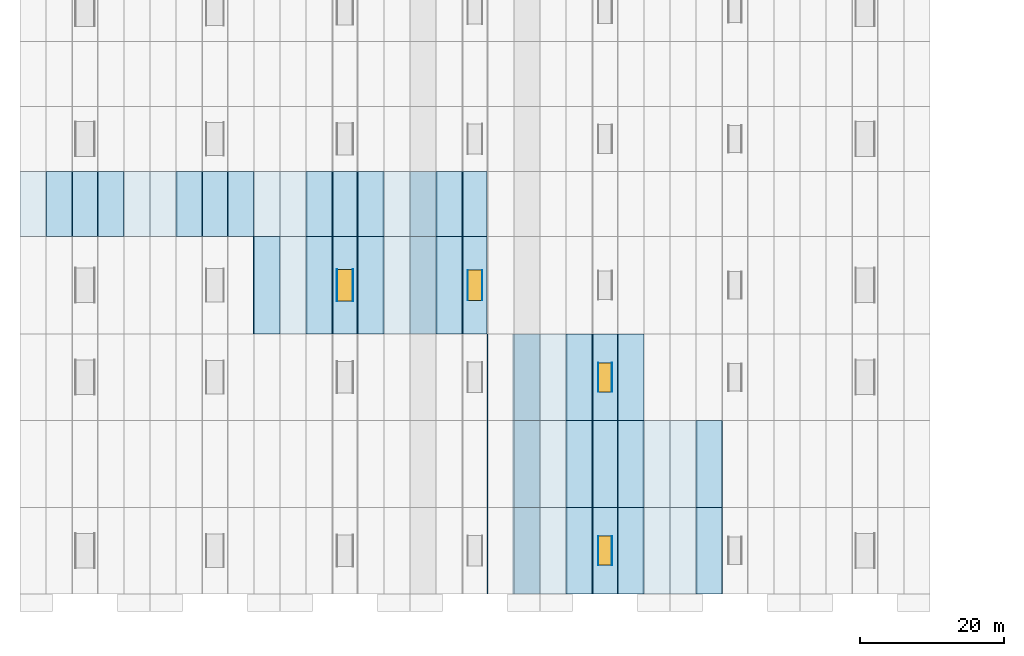
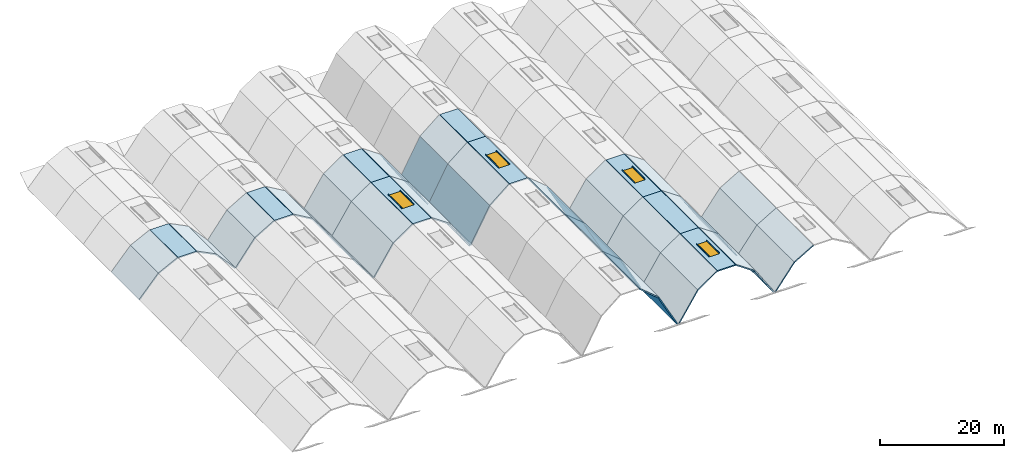
# One storey, part 3 of 11: 51 slabs, 8 plates, 4 windows, 4 openings.
"""IFC4 building model written with IfcOpenShell, lengths in metres."""

from ifc_helpers import new_model, si_unit, direction, frame, origin, origin_2d, place, context, subcontext, project, spatial, polyline, rectangle, outline, extrude, material, layer, layer_set, type_object, element, fill, save


model = new_model("IFC4")

# Units and contexts
model_context = context("Model", 3, precision=1e-05, world=origin(), true_north=direction((0.0, 1.0)))
body_context = subcontext(model_context, "Body", "Model", "MODEL_VIEW")
ifc_project = project(units=[si_unit("LENGTHUNIT", "METRE"), si_unit("AREAUNIT", "SQUARE_METRE"), si_unit("VOLUMEUNIT", "CUBIC_METRE"), si_unit("PLANEANGLEUNIT", "RADIAN"), si_unit("MASSUNIT", "GRAM", prefix="KILO")], contexts=[model_context])

# Site, building, storey
site_placement = place(None, origin())
site = spatial("IfcSite", under=ifc_project, at=site_placement, CompositionType="ELEMENT")
building_placement = place(site_placement, origin())
building = spatial("IfcBuilding", under=site, at=building_placement, Name="Chuanluo Vaults Station", CompositionType="ELEMENT")
storey_placement = place(building_placement, frame((0.0, 0.0, 24.0)))
storey = spatial("IfcBuildingStorey", under=building, at=storey_placement, Name="RF", CompositionType="ELEMENT", Elevation=24.0)

# Plates
ifc_material_1 = material(Name="Laminated safety skylight glass", Category="glass")
ifc_layer_1 = layer(ifc_material_1, 0.033935546875)
ifc_layer_set_1 = layer_set([ifc_layer_1], Name="Laminated safety skylight glass")
plate_type_1 = type_object("IfcPlateType", Name="PLT-SKY-01", PredefinedType="SHEET", material=ifc_layer_set_1)
plate_1_placement = place(storey_placement, frame((43.89990234375, 60.75, -1.85009765625), z_axis=(0.0, 0.0, 1.0), x_axis=(1.0, 0.0, 0.0)))
element("IfcPlate", 1, at=plate_1_placement, inside=storey, type_object=plate_type_1, Name="Vault V3 skylight kerb plate 13W", PredefinedType="SHEET", context=body_context, shape_type="SweptSolid", body=[
    extrude(rectangle(XDim=0.033935546875, YDim=4.39990234375, at=origin_2d()), origin(), (0.0, 0.0, 1.0), 0.219970703125),
])
plate_2_placement = place(storey_placement, frame((62.0, 60.75, -0.25), z_axis=(0.0, 0.0, 1.0), x_axis=(1.0, 0.0, 0.0)))
element("IfcPlate", 2, at=plate_2_placement, inside=storey, type_object=plate_type_1, Name="Vault V4 skylight kerb plate 18W", PredefinedType="SHEET", context=body_context, shape_type="SweptSolid", body=[
    extrude(rectangle(XDim=0.033935546875, YDim=4.199951171875, at=origin_2d()), origin(), (0.0, 0.0, 1.0), 0.219970703125),
])
for number, where, z_axis, x_axis, name in (
    (3, (80.050048828125, 24.0, -1.85009765625), (0.0, 0.0, 1.0), (1.0, 0.0, 0.0), "Vault V5 skylight kerb plate 21W"),
    (4, (80.050048828125, 48.0, -1.85009765625), (0.0, 0.0, 1.0), (1.0, 0.0, 0.0), "Vault V5 skylight kerb plate 22W"),
):
    element("IfcPlate", number, at=place(storey_placement, frame(where, z_axis=z_axis, x_axis=x_axis)), inside=storey, type_object=plate_type_1, Name=name, PredefinedType="SHEET", context=body_context, shape_type="SweptSolid", body=[
        extrude(rectangle(XDim=0.033935546875, YDim=4.0, at=origin_2d()), origin(), (0.0, 0.0, 1.0), 0.219970703125),
    ])
ifc_material_2 = material(Name="Laminated safety skylight glass", Category="glass")
ifc_layer_2 = layer(ifc_material_2, 0.030029296875)
ifc_layer_set_2 = layer_set([ifc_layer_2], Name="Laminated safety skylight glass")
plate_type_2 = type_object("IfcPlateType", Name="PLT-SKY-02", PredefinedType="SHEET", material=ifc_layer_set_2)
plate_3_placement = place(storey_placement, frame((46.10009765625, 60.75, -1.85009765625), z_axis=(0.0, 0.0, 1.0), x_axis=(1.0, 0.0, 0.0)))
element("IfcPlate", 5, at=plate_3_placement, inside=storey, type_object=plate_type_2, Name="Vault V3 skylight kerb plate 13E", PredefinedType="SHEET", context=body_context, shape_type="SweptSolid", body=[
    extrude(rectangle(XDim=0.030029296875, YDim=4.39990234375, at=origin_2d()), origin(), (0.0, 0.0, 1.0), 0.219970703125),
])
plate_4_placement = place(storey_placement, frame((64.0, 60.75, -0.25), z_axis=(0.0, 0.0, 1.0), x_axis=(1.0, 0.0, 0.0)))
element("IfcPlate", 6, at=plate_4_placement, inside=storey, type_object=plate_type_2, Name="Vault V4 skylight kerb plate 18E", PredefinedType="SHEET", context=body_context, shape_type="SweptSolid", body=[
    extrude(rectangle(XDim=0.030029296875, YDim=4.199951171875, at=origin_2d()), origin(), (0.0, 0.0, 1.0), 0.219970703125),
])
for number, where, z_axis, x_axis, name in (
    (7, (81.949951171875, 24.0, -1.85009765625), (0.0, 0.0, 1.0), (1.0, 0.0, 0.0), "Vault V5 skylight kerb plate 21E"),
    (8, (81.949951171875, 48.0, -1.85009765625), (0.0, 0.0, 1.0), (1.0, 0.0, 0.0), "Vault V5 skylight kerb plate 22E"),
):
    element("IfcPlate", number, at=place(storey_placement, frame(where, z_axis=z_axis, x_axis=x_axis)), inside=storey, type_object=plate_type_2, Name=name, PredefinedType="SHEET", context=body_context, shape_type="SweptSolid", body=[
        extrude(rectangle(XDim=0.030029296875, YDim=4.0, at=origin_2d()), origin(), (0.0, 0.0, 1.0), 0.219970703125),
    ])

# Slabs
ifc_material_3 = material(Name="Concrete C50", Category="concrete")
ifc_layer_3 = layer(ifc_material_3, 0.219970703125)
ifc_layer_set_3 = layer_set([ifc_layer_3], Name="Concrete C50")
slab_type = type_object("IfcSlabType", Name="SLB-VLT-220", PredefinedType="ROOF", material=ifc_layer_set_3)
slab_1_placement = place(storey_placement, frame((0.0, 67.5, -9.85009765625), z_axis=(-0.74346776464, 0.0, 0.668771771938), x_axis=(0.668771771938, 0.0, 0.74346776464)))
element("IfcSlab", 9, at=slab_1_placement, inside=storey, type_object=slab_type, Name="Vault V1 planar roof facet 5-L1", PredefinedType="ROOF", context=body_context, shape_type="SweptSolid", body=[
    extrude(outline(polyline([(0.0, 0.0), (5.383148343442986, 0.0), (5.383148343442986, 9.0), (0.0, 9.0), (0.0, 0.0)])), origin(), (0.0, 0.0, -1.0), 0.219970703125),
])
for number, where, z_axis, x_axis, name in (
    (10, (3.60009765625, 67.5, -5.847900390625), (-0.446800966909, 0.0, 0.894633386348), (0.894633386348, 0.0, 0.446800966909), "Vault V1 planar roof facet 5-L2"),
    (11, (10.800048828125, 67.5, -4.050048828125), (0.446800966909, 0.0, 0.894633386348), (0.894633386348, 0.0, -0.446800966909), "Vault V1 planar roof facet 5-R2"),
):
    element("IfcSlab", number, at=place(storey_placement, frame(where, z_axis=z_axis, x_axis=x_axis)), inside=storey, type_object=slab_type, Name=name, PredefinedType="ROOF", context=body_context, shape_type="SweptSolid", body=[
        extrude(outline(polyline([(0.0, 0.0), (4.023830957525598, 0.0), (4.023830957525598, 9.000000000000002), (0.0, 9.000000000000002), (0.0, 0.0)])), origin(), (0.0, 0.0, -1.0), 0.219970703125),
    ])
slab_2_placement = place(storey_placement, frame((14.39990234375, 67.5, -5.847900390625), z_axis=(0.74346776464, 0.0, 0.668771771938), x_axis=(0.668771771938, 0.0, -0.74346776464)))
element("IfcSlab", 12, at=slab_2_placement, inside=storey, type_object=slab_type, Name="Vault V1 planar roof facet 5-R1", PredefinedType="ROOF", context=body_context, shape_type="SweptSolid", body=[
    extrude(outline(polyline([(0.0, 0.0), (5.383148343442986, 0.0), (5.383148343442986, 9.0), (0.0, 9.0), (0.0, 0.0)])), origin(), (0.0, 0.0, -1.0), 0.219970703125),
])
slab_3_placement = place(storey_placement, frame((0.0, 0.0, -4.27001953125)))
element("IfcSlab", 13, at=slab_3_placement, inside=storey, type_object=slab_type, Name="Vault V1 crown skylight slab 5", PredefinedType="ROOF", context=body_context, shape_type="SweptSolid", body=[
    extrude(outline(polyline([(7.283203125, 67.5), (10.716796875, 67.5), (10.716796875, 76.5), (7.283203125, 76.5), (7.283203125, 67.5)])), origin(), (0.0, 0.0, 1.0), 0.219970703125),
])
slab_4_placement = place(storey_placement, frame((32.39990234375, 54.0, -5.157958984375), z_axis=(0.793378408249, 0.0, 0.608728758418), x_axis=(0.608728758418, 0.0, -0.793378408249)))
element("IfcSlab", 14, at=slab_4_placement, inside=storey, type_object=slab_type, Name="Vault V2 planar roof facet 4-R1", PredefinedType="ROOF", context=body_context, shape_type="SweptSolid", body=[
    extrude(outline(polyline([(0.0, 0.0), (5.914124487245905, 0.0), (5.914124487245905, 13.5), (0.0, 13.5), (0.0, 0.0)])), origin(), (0.0, 0.0, -1.0), 0.219970703125),
])
slab_5_placement = place(storey_placement, frame((18.0, 67.5, -9.85009765625), z_axis=(-0.793378408249, 0.0, 0.608728758418), x_axis=(0.608728758418, 0.0, 0.793378408249)))
element("IfcSlab", 15, at=slab_5_placement, inside=storey, type_object=slab_type, Name="Vault V2 planar roof facet 5-L1", PredefinedType="ROOF", context=body_context, shape_type="SweptSolid", body=[
    extrude(outline(polyline([(0.0, 0.0), (5.914124487245905, 0.0), (5.914124487245905, 9.0), (0.0, 9.0), (0.0, 0.0)])), origin(), (0.0, 0.0, -1.0), 0.219970703125),
])
for number, where, z_axis, x_axis, name in (
    (16, (21.60009765625, 67.5, -5.157958984375), (-0.505300394389, 0.0, 0.862943515782), (0.862943515782, 0.0, 0.505300394389), "Vault V2 planar roof facet 5-L2"),
    (17, (28.800048828125, 67.5, -3.050048828125), (0.505300394389, 0.0, 0.862943515782), (0.862943515782, 0.0, -0.505300394389), "Vault V2 planar roof facet 5-R2"),
):
    element("IfcSlab", number, at=place(storey_placement, frame(where, z_axis=z_axis, x_axis=x_axis)), inside=storey, type_object=slab_type, Name=name, PredefinedType="ROOF", context=body_context, shape_type="SweptSolid", body=[
        extrude(outline(polyline([(0.0, 0.0), (4.171598082363588, 0.0), (4.171598082363588, 8.999999999999998), (0.0, 8.999999999999998), (0.0, 0.0)])), origin(), (0.0, 0.0, -1.0), 0.219970703125),
    ])
slab_6_placement = place(storey_placement, frame((32.39990234375, 67.5, -5.157958984375), z_axis=(0.793378408249, 0.0, 0.608728758418), x_axis=(0.608728758418, 0.0, -0.793378408249)))
element("IfcSlab", 18, at=slab_6_placement, inside=storey, type_object=slab_type, Name="Vault V2 planar roof facet 5-R1", PredefinedType="ROOF", context=body_context, shape_type="SweptSolid", body=[
    extrude(outline(polyline([(0.0, 0.0), (5.914124487245905, 0.0), (5.914124487245905, 9.0), (0.0, 9.0), (0.0, 0.0)])), origin(), (0.0, 0.0, -1.0), 0.219970703125),
])
slab_7_placement = place(storey_placement, frame((0.0, 0.0, -3.27001953125)))
element("IfcSlab", 19, at=slab_7_placement, inside=storey, type_object=slab_type, Name="Vault V2 crown skylight slab 5", PredefinedType="ROOF", context=body_context, shape_type="SweptSolid", body=[
    extrude(outline(polyline([(25.296142578125, 67.5), (28.703857421875, 67.5), (28.703857421875, 76.5), (25.296142578125, 76.5), (25.296142578125, 67.5)])), origin(), (0.0, 0.0, 1.0), 0.219970703125),
])
slab_8_placement = place(storey_placement, frame((36.0, 54.0, -9.85009765625), z_axis=(-0.837604700912, 0.0, 0.54627682086), x_axis=(0.54627682086, 0.0, 0.837604700912)))
element("IfcSlab", 20, at=slab_8_placement, inside=storey, type_object=slab_type, Name="Vault V3 planar roof facet 4-L1", PredefinedType="ROOF", context=body_context, shape_type="SweptSolid", body=[
    extrude(outline(polyline([(0.0, 0.0), (6.590244210946831, 0.0), (6.590244210946831, 13.5), (0.0, 13.5), (0.0, 0.0)])), origin(), (0.0, 0.0, -1.0), 0.219970703125),
])
for number, where, z_axis, x_axis, name in (
    (21, (39.60009765625, 54.0, -4.330078125), (-0.567317861209, 0.0, 0.823498903675), (0.823498903675, 0.0, 0.567317861209), "Vault V3 planar roof facet 4-L2"),
    (22, (46.800048828125, 54.0, -1.85009765625), (0.567317861209, 0.0, 0.823498903675), (0.823498903675, 0.0, -0.567317861209), "Vault V3 planar roof facet 4-R2"),
):
    element("IfcSlab", number, at=place(storey_placement, frame(where, z_axis=z_axis, x_axis=x_axis)), inside=storey, type_object=slab_type, Name=name, PredefinedType="ROOF", context=body_context, shape_type="SweptSolid", body=[
        extrude(outline(polyline([(0.0, 0.0), (4.371412638877636, 0.0), (4.371412638877636, 13.5), (0.0, 13.5), (0.0, 0.0)])), origin(), (0.0, 0.0, -1.0), 0.219970703125),
    ])
slab_9_placement = place(storey_placement, frame((50.39990234375, 54.0, -4.330078125), z_axis=(0.837604700912, 0.0, 0.54627682086), x_axis=(0.54627682086, 0.0, -0.837604700912)))
element("IfcSlab", 23, at=slab_9_placement, inside=storey, type_object=slab_type, Name="Vault V3 planar roof facet 4-R1", PredefinedType="ROOF", context=body_context, shape_type="SweptSolid", body=[
    extrude(outline(polyline([(0.0, 0.0), (6.590244210946831, 0.0), (6.590244210946831, 13.5), (0.0, 13.5), (0.0, 0.0)])), origin(), (0.0, 0.0, -1.0), 0.219970703125),
])

# Slab, opening, window
slab_10_placement = place(storey_placement, frame((0.0, 0.0, -2.070068359375)))
slab_10 = element("IfcSlab", 24, at=slab_10_placement, inside=storey, type_object=slab_type, Name="Vault V3 crown skylight slab 4", PredefinedType="ROOF", context=body_context, shape_type="SweptSolid", body=[
    extrude(outline(polyline([(43.309814453125, 54.0), (46.690185546875, 54.0), (46.690185546875, 67.5), (43.309814453125, 67.5), (43.309814453125, 54.0)])), origin(), (0.0, 0.0, 1.0), 0.219970703125),
])
opening_1_placement = place(slab_10_placement, frame((45.0, 60.75, 0.0)))
opening_1 = element("IfcOpeningElement", 25, at=opening_1_placement, cuts=slab_10, Name="Opening SK-03", PredefinedType="OPENING", context=body_context, shape_type="SweptSolid", body=[
    extrude(rectangle(XDim=2.199951171875, YDim=4.39990234375, at=origin_2d()), frame((0.0, 0.0, -0.01)), (0.0, 0.0, 1.0), 0.23997),
])
ifc_material_4 = material(Name="Laminated safety skylight glass", Category="glass")
window_type_1 = type_object("IfcWindowType", Name="SKY-VLT-2200x4400", PartitioningType="SINGLE_PANEL", PredefinedType="SKYLIGHT", material=ifc_material_4)
window_1_placement = place(opening_1_placement, frame((0.0, 0.0, 0.169921875)))
window_1 = element("IfcWindow", 26, at=window_1_placement, inside=storey, type_object=window_type_1, Name="Vault V3 ridge skylight 13", OverallHeight=4.39990234375, OverallWidth=2.199951171875, PartitioningType="SINGLE_PANEL", PredefinedType="SKYLIGHT", context=body_context, shape_type="SweptSolid", body=[
    extrude(rectangle(XDim=2.199951171875, YDim=4.39990234375, at=origin_2d()), origin(), (0.0, 0.0, 1.0), 0.050048828125),
])
fill(opening_1, window_1)

# Slabs
slab_11_placement = place(storey_placement, frame((36.0, 67.5, -9.85009765625), z_axis=(-0.837604700912, 0.0, 0.54627682086), x_axis=(0.54627682086, 0.0, 0.837604700912)))
element("IfcSlab", 27, at=slab_11_placement, inside=storey, type_object=slab_type, Name="Vault V3 planar roof facet 5-L1", PredefinedType="ROOF", context=body_context, shape_type="SweptSolid", body=[
    extrude(outline(polyline([(0.0, 0.0), (6.590244210946831, 0.0), (6.590244210946831, 9.0), (0.0, 9.0), (0.0, 0.0)])), origin(), (0.0, 0.0, -1.0), 0.219970703125),
])
for number, where, z_axis, x_axis, name in (
    (28, (39.60009765625, 67.5, -4.330078125), (-0.567317861209, 0.0, 0.823498903675), (0.823498903675, 0.0, 0.567317861209), "Vault V3 planar roof facet 5-L2"),
    (29, (46.800048828125, 67.5, -1.85009765625), (0.567317861209, 0.0, 0.823498903675), (0.823498903675, 0.0, -0.567317861209), "Vault V3 planar roof facet 5-R2"),
):
    element("IfcSlab", number, at=place(storey_placement, frame(where, z_axis=z_axis, x_axis=x_axis)), inside=storey, type_object=slab_type, Name=name, PredefinedType="ROOF", context=body_context, shape_type="SweptSolid", body=[
        extrude(outline(polyline([(0.0, 0.0), (4.371412638877636, 0.0), (4.371412638877636, 9.0), (0.0, 9.0), (0.0, 0.0)])), origin(), (0.0, 0.0, -1.0), 0.219970703125),
    ])
slab_12_placement = place(storey_placement, frame((50.39990234375, 67.5, -4.330078125), z_axis=(0.837604700912, 0.0, 0.54627682086), x_axis=(0.54627682086, 0.0, -0.837604700912)))
element("IfcSlab", 30, at=slab_12_placement, inside=storey, type_object=slab_type, Name="Vault V3 planar roof facet 5-R1", PredefinedType="ROOF", context=body_context, shape_type="SweptSolid", body=[
    extrude(outline(polyline([(0.0, 0.0), (6.590244210946831, 0.0), (6.590244210946831, 9.0), (0.0, 9.0), (0.0, 0.0)])), origin(), (0.0, 0.0, -1.0), 0.219970703125),
])
slab_13_placement = place(storey_placement, frame((0.0, 0.0, -2.070068359375)))
element("IfcSlab", 31, at=slab_13_placement, inside=storey, type_object=slab_type, Name="Vault V3 crown skylight slab 5", PredefinedType="ROOF", context=body_context, shape_type="SweptSolid", body=[
    extrude(outline(polyline([(43.309814453125, 67.5), (46.690185546875, 67.5), (46.690185546875, 76.5), (43.309814453125, 76.5), (43.309814453125, 67.5)])), origin(), (0.0, 0.0, 1.0), 0.219970703125),
])
slab_14_placement = place(storey_placement, frame((64.800048828125, 18.0, -0.25), z_axis=(0.637171823564, 0.0, 0.770721783302), x_axis=(0.770721783302, 0.0, -0.637171823564)))
element("IfcSlab", 32, at=slab_14_placement, inside=storey, type_object=slab_type, Name="Vault V4 planar roof facet 1-R2", PredefinedType="ROOF", context=body_context, shape_type="SweptSolid", body=[
    extrude(outline(polyline([(0.0, 0.0), (4.670756158211012, 0.0), (4.670756158211012, 12.0), (0.0, 12.0), (0.0, 0.0)])), origin(), (0.0, 0.0, -1.0), 0.219970703125),
])
slab_15_placement = place(storey_placement, frame((68.39990234375, 18.0, -3.22607421875), z_axis=(0.878619783786, 0.0, 0.477522015764), x_axis=(0.477522015764, 0.0, -0.878619783786)))
element("IfcSlab", 33, at=slab_15_placement, inside=storey, type_object=slab_type, Name="Vault V4 planar roof facet 1-R1", PredefinedType="ROOF", context=body_context, shape_type="SweptSolid", body=[
    extrude(outline(polyline([(0.0, 0.0), (7.539123930211392, 0.0), (7.539123930211392, 12.000000000000004), (0.0, 12.000000000000004), (0.0, 0.0)])), origin(), (0.0, 0.0, -1.0), 0.219970703125),
])
slab_16_placement = place(storey_placement, frame((64.800048828125, 30.0, -0.25), z_axis=(0.637171823564, 0.0, 0.770721783302), x_axis=(0.770721783302, 0.0, -0.637171823564)))
element("IfcSlab", 34, at=slab_16_placement, inside=storey, type_object=slab_type, Name="Vault V4 planar roof facet 2-R2", PredefinedType="ROOF", context=body_context, shape_type="SweptSolid", body=[
    extrude(outline(polyline([(0.0, 0.0), (4.670756158211012, 0.0), (4.670756158211012, 12.0), (0.0, 12.0), (0.0, 0.0)])), origin(), (0.0, 0.0, -1.0), 0.219970703125),
])
slab_17_placement = place(storey_placement, frame((68.39990234375, 30.0, -3.22607421875), z_axis=(0.878619783786, 0.0, 0.477522015764), x_axis=(0.477522015764, 0.0, -0.878619783786)))
element("IfcSlab", 35, at=slab_17_placement, inside=storey, type_object=slab_type, Name="Vault V4 planar roof facet 2-R1", PredefinedType="ROOF", context=body_context, shape_type="SweptSolid", body=[
    extrude(outline(polyline([(0.0, 0.0), (7.539123930211392, 0.0), (7.539123930211392, 12.000000000000004), (0.0, 12.000000000000004), (0.0, 0.0)])), origin(), (0.0, 0.0, -1.0), 0.219970703125),
])
slab_18_placement = place(storey_placement, frame((64.800048828125, 42.0, -0.25), z_axis=(0.637171823564, 0.0, 0.770721783302), x_axis=(0.770721783302, 0.0, -0.637171823564)))
element("IfcSlab", 36, at=slab_18_placement, inside=storey, type_object=slab_type, Name="Vault V4 planar roof facet 3-R2", PredefinedType="ROOF", context=body_context, shape_type="SweptSolid", body=[
    extrude(outline(polyline([(0.0, 0.0), (4.670756158211012, 0.0), (4.670756158211012, 12.0), (0.0, 12.0), (0.0, 0.0)])), origin(), (0.0, 0.0, -1.0), 0.219970703125),
])
slab_19_placement = place(storey_placement, frame((68.39990234375, 42.0, -3.22607421875), z_axis=(0.878619783786, 0.0, 0.477522015764), x_axis=(0.477522015764, 0.0, -0.878619783786)))
element("IfcSlab", 37, at=slab_19_placement, inside=storey, type_object=slab_type, Name="Vault V4 planar roof facet 3-R1", PredefinedType="ROOF", context=body_context, shape_type="SweptSolid", body=[
    extrude(outline(polyline([(0.0, 0.0), (7.539123930211392, 0.0), (7.539123930211392, 12.000000000000004), (0.0, 12.000000000000004), (0.0, 0.0)])), origin(), (0.0, 0.0, -1.0), 0.219970703125),
])
slab_20_placement = place(storey_placement, frame((54.0, 54.0, -9.85009765625), z_axis=(-0.878619783786, 0.0, 0.477522015764), x_axis=(0.477522015764, 0.0, 0.878619783786)))
element("IfcSlab", 38, at=slab_20_placement, inside=storey, type_object=slab_type, Name="Vault V4 planar roof facet 4-L1", PredefinedType="ROOF", context=body_context, shape_type="SweptSolid", body=[
    extrude(outline(polyline([(0.0, 0.0), (7.539123930211392, 0.0), (7.539123930211392, 13.5), (0.0, 13.5), (0.0, 0.0)])), origin(), (0.0, 0.0, -1.0), 0.219970703125),
])
slab_21_placement = place(storey_placement, frame((57.60009765625, 54.0, -3.22607421875), z_axis=(-0.637171823564, 0.0, 0.770721783302), x_axis=(0.770721783302, 0.0, 0.637171823564)))
element("IfcSlab", 39, at=slab_21_placement, inside=storey, type_object=slab_type, Name="Vault V4 planar roof facet 4-L2", PredefinedType="ROOF", context=body_context, shape_type="SweptSolid", body=[
    extrude(outline(polyline([(0.0, 0.0), (4.670756158211012, 0.0), (4.670756158211012, 13.5), (0.0, 13.5), (0.0, 0.0)])), origin(), (0.0, 0.0, -1.0), 0.219970703125),
])

# Slab, opening, window
slab_22_placement = place(storey_placement, frame((0.0, 0.0, -0.469970703125)))
slab_22 = element("IfcSlab", 40, at=slab_22_placement, inside=storey, type_object=slab_type, Name="Vault V4 crown skylight slab 4", PredefinedType="ROOF", context=body_context, shape_type="SweptSolid", body=[
    extrude(outline(polyline([(61.3251953125, 54.0), (64.6748046875, 54.0), (64.6748046875, 67.5), (61.3251953125, 67.5), (61.3251953125, 54.0)])), origin(), (0.0, 0.0, 1.0), 0.219970703125),
])
opening_2_placement = place(slab_22_placement, frame((63.0, 60.75, 0.0)))
opening_2 = element("IfcOpeningElement", 41, at=opening_2_placement, cuts=slab_22, Name="Opening SK-04", PredefinedType="OPENING", context=body_context, shape_type="SweptSolid", body=[
    extrude(rectangle(XDim=2.0, YDim=4.199951171875, at=origin_2d()), frame((0.0, 0.0, -0.01)), (0.0, 0.0, 1.0), 0.23997),
])
ifc_material_5 = material(Name="Laminated safety skylight glass", Category="glass")
window_type_2 = type_object("IfcWindowType", Name="SKY-VLT-2000x4200", PartitioningType="SINGLE_PANEL", PredefinedType="SKYLIGHT", material=ifc_material_5)
window_2_placement = place(opening_2_placement, frame((0.0, 0.0, 0.169921875)))
window_2 = element("IfcWindow", 42, at=window_2_placement, inside=storey, type_object=window_type_2, Name="Vault V4 ridge skylight 18", OverallHeight=4.199951171875, OverallWidth=2.0, PartitioningType="SINGLE_PANEL", PredefinedType="SKYLIGHT", context=body_context, shape_type="SweptSolid", body=[
    extrude(rectangle(XDim=2.0, YDim=4.199951171875, at=origin_2d()), origin(), (0.0, 0.0, 1.0), 0.050048828125),
])
fill(opening_2, window_2)

# Slabs
slab_23_placement = place(storey_placement, frame((54.0, 67.5, -9.85009765625), z_axis=(-0.878619783786, 0.0, 0.477522015764), x_axis=(0.477522015764, 0.0, 0.878619783786)))
element("IfcSlab", 43, at=slab_23_placement, inside=storey, type_object=slab_type, Name="Vault V4 planar roof facet 5-L1", PredefinedType="ROOF", context=body_context, shape_type="SweptSolid", body=[
    extrude(outline(polyline([(0.0, 0.0), (7.539123930211392, 0.0), (7.539123930211392, 9.0), (0.0, 9.0), (0.0, 0.0)])), origin(), (0.0, 0.0, -1.0), 0.219970703125),
])
slab_24_placement = place(storey_placement, frame((57.60009765625, 67.5, -3.22607421875), z_axis=(-0.637171823564, 0.0, 0.770721783302), x_axis=(0.770721783302, 0.0, 0.637171823564)))
element("IfcSlab", 44, at=slab_24_placement, inside=storey, type_object=slab_type, Name="Vault V4 planar roof facet 5-L2", PredefinedType="ROOF", context=body_context, shape_type="SweptSolid", body=[
    extrude(outline(polyline([(0.0, 0.0), (4.670756158211012, 0.0), (4.670756158211012, 9.0), (0.0, 9.0), (0.0, 0.0)])), origin(), (0.0, 0.0, -1.0), 0.219970703125),
])
slab_25_placement = place(storey_placement, frame((0.0, 0.0, -0.469970703125)))
element("IfcSlab", 45, at=slab_25_placement, inside=storey, type_object=slab_type, Name="Vault V4 crown skylight slab 5", PredefinedType="ROOF", context=body_context, shape_type="SweptSolid", body=[
    extrude(outline(polyline([(61.3251953125, 67.5), (64.6748046875, 67.5), (64.6748046875, 76.5), (61.3251953125, 76.5), (61.3251953125, 67.5)])), origin(), (0.0, 0.0, 1.0), 0.219970703125),
])
slab_26_placement = place(storey_placement, frame((72.0, 18.0, -9.85009765625), z_axis=(-0.837604700912, 0.0, 0.54627682086), x_axis=(0.54627682086, 0.0, 0.837604700912)))
element("IfcSlab", 46, at=slab_26_placement, inside=storey, type_object=slab_type, Name="Vault V5 planar roof facet 1-L1", PredefinedType="ROOF", context=body_context, shape_type="SweptSolid", body=[
    extrude(outline(polyline([(0.0, 0.0), (6.590244210946831, 0.0), (6.590244210946831, 12.0), (0.0, 12.0), (0.0, 0.0)])), origin(), (0.0, 0.0, -1.0), 0.219970703125),
])
for number, where, z_axis, x_axis, name in (
    (47, (75.60009765625, 18.0, -4.330078125), (-0.567317861209, 0.0, 0.823498903675), (0.823498903675, 0.0, 0.567317861209), "Vault V5 planar roof facet 1-L2"),
    (48, (82.800048828125, 18.0, -1.85009765625), (0.567317861209, 0.0, 0.823498903675), (0.823498903675, 0.0, -0.567317861209), "Vault V5 planar roof facet 1-R2"),
):
    element("IfcSlab", number, at=place(storey_placement, frame(where, z_axis=z_axis, x_axis=x_axis)), inside=storey, type_object=slab_type, Name=name, PredefinedType="ROOF", context=body_context, shape_type="SweptSolid", body=[
        extrude(outline(polyline([(0.0, 0.0), (4.371412638877636, 0.0), (4.371412638877636, 12.0), (0.0, 12.0), (0.0, 0.0)])), origin(), (0.0, 0.0, -1.0), 0.219970703125),
    ])
slab_27_placement = place(storey_placement, frame((86.39990234375, 18.0, -4.330078125), z_axis=(0.837604700912, 0.0, 0.54627682086), x_axis=(0.54627682086, 0.0, -0.837604700912)))
element("IfcSlab", 49, at=slab_27_placement, inside=storey, type_object=slab_type, Name="Vault V5 planar roof facet 1-R1", PredefinedType="ROOF", context=body_context, shape_type="SweptSolid", body=[
    extrude(outline(polyline([(0.0, 0.0), (6.590244210946831, 0.0), (6.590244210946831, 12.0), (0.0, 12.0), (0.0, 0.0)])), origin(), (0.0, 0.0, -1.0), 0.219970703125),
])

# Slab, opening, window
slab_28_placement = place(storey_placement, frame((0.0, 0.0, -2.070068359375)))
slab_28 = element("IfcSlab", 50, at=slab_28_placement, inside=storey, type_object=slab_type, Name="Vault V5 crown skylight slab 1", PredefinedType="ROOF", context=body_context, shape_type="SweptSolid", body=[
    extrude(outline(polyline([(79.309814453125, 18.0), (82.690185546875, 18.0), (82.690185546875, 30.0), (79.309814453125, 30.0), (79.309814453125, 18.0)])), origin(), (0.0, 0.0, 1.0), 0.219970703125),
])
opening_3_placement = place(slab_28_placement, frame((81.0, 24.0, 0.0)))
opening_3 = element("IfcOpeningElement", 51, at=opening_3_placement, cuts=slab_28, Name="Opening SK-05", PredefinedType="OPENING", context=body_context, shape_type="SweptSolid", body=[
    extrude(rectangle(XDim=1.89990234375, YDim=4.0, at=origin_2d()), frame((0.0, 0.0, -0.01)), (0.0, 0.0, 1.0), 0.23997),
])
ifc_material_6 = material(Name="Laminated safety skylight glass", Category="glass")
window_type_3 = type_object("IfcWindowType", Name="SKY-VLT-1900x4000", PartitioningType="SINGLE_PANEL", PredefinedType="SKYLIGHT", material=ifc_material_6)
window_3_placement = place(opening_3_placement, frame((0.0, 0.0, 0.169921875)))
window_3 = element("IfcWindow", 52, at=window_3_placement, inside=storey, type_object=window_type_3, Name="Vault V5 ridge skylight 21", OverallHeight=4.0, OverallWidth=1.89990234375, PartitioningType="SINGLE_PANEL", PredefinedType="SKYLIGHT", context=body_context, shape_type="SweptSolid", body=[
    extrude(rectangle(XDim=1.89990234375, YDim=4.0, at=origin_2d()), origin(), (0.0, 0.0, 1.0), 0.050048828125),
])
fill(opening_3, window_3)

# Slabs
slab_29_placement = place(storey_placement, frame((72.0, 30.0, -9.85009765625), z_axis=(-0.837604700912, 0.0, 0.54627682086), x_axis=(0.54627682086, 0.0, 0.837604700912)))
element("IfcSlab", 53, at=slab_29_placement, inside=storey, type_object=slab_type, Name="Vault V5 planar roof facet 2-L1", PredefinedType="ROOF", context=body_context, shape_type="SweptSolid", body=[
    extrude(outline(polyline([(0.0, 0.0), (6.590244210946831, 0.0), (6.590244210946831, 12.0), (0.0, 12.0), (0.0, 0.0)])), origin(), (0.0, 0.0, -1.0), 0.219970703125),
])
for number, where, z_axis, x_axis, name in (
    (54, (75.60009765625, 30.0, -4.330078125), (-0.567317861209, 0.0, 0.823498903675), (0.823498903675, 0.0, 0.567317861209), "Vault V5 planar roof facet 2-L2"),
    (55, (82.800048828125, 30.0, -1.85009765625), (0.567317861209, 0.0, 0.823498903675), (0.823498903675, 0.0, -0.567317861209), "Vault V5 planar roof facet 2-R2"),
):
    element("IfcSlab", number, at=place(storey_placement, frame(where, z_axis=z_axis, x_axis=x_axis)), inside=storey, type_object=slab_type, Name=name, PredefinedType="ROOF", context=body_context, shape_type="SweptSolid", body=[
        extrude(outline(polyline([(0.0, 0.0), (4.371412638877636, 0.0), (4.371412638877636, 12.0), (0.0, 12.0), (0.0, 0.0)])), origin(), (0.0, 0.0, -1.0), 0.219970703125),
    ])
slab_30_placement = place(storey_placement, frame((86.39990234375, 30.0, -4.330078125), z_axis=(0.837604700912, 0.0, 0.54627682086), x_axis=(0.54627682086, 0.0, -0.837604700912)))
element("IfcSlab", 56, at=slab_30_placement, inside=storey, type_object=slab_type, Name="Vault V5 planar roof facet 2-R1", PredefinedType="ROOF", context=body_context, shape_type="SweptSolid", body=[
    extrude(outline(polyline([(0.0, 0.0), (6.590244210946831, 0.0), (6.590244210946831, 12.0), (0.0, 12.0), (0.0, 0.0)])), origin(), (0.0, 0.0, -1.0), 0.219970703125),
])
slab_31_placement = place(storey_placement, frame((0.0, 0.0, -2.070068359375)))
element("IfcSlab", 57, at=slab_31_placement, inside=storey, type_object=slab_type, Name="Vault V5 crown skylight slab 2", PredefinedType="ROOF", context=body_context, shape_type="SweptSolid", body=[
    extrude(outline(polyline([(79.309814453125, 30.0), (82.690185546875, 30.0), (82.690185546875, 42.0), (79.309814453125, 42.0), (79.309814453125, 30.0)])), origin(), (0.0, 0.0, 1.0), 0.219970703125),
])
slab_32_placement = place(storey_placement, frame((72.0, 42.0, -9.85009765625), z_axis=(-0.837604700912, 0.0, 0.54627682086), x_axis=(0.54627682086, 0.0, 0.837604700912)))
element("IfcSlab", 58, at=slab_32_placement, inside=storey, type_object=slab_type, Name="Vault V5 planar roof facet 3-L1", PredefinedType="ROOF", context=body_context, shape_type="SweptSolid", body=[
    extrude(outline(polyline([(0.0, 0.0), (6.590244210946831, 0.0), (6.590244210946831, 12.0), (0.0, 12.0), (0.0, 0.0)])), origin(), (0.0, 0.0, -1.0), 0.219970703125),
])
for number, where, z_axis, x_axis, name in (
    (59, (75.60009765625, 42.0, -4.330078125), (-0.567317861209, 0.0, 0.823498903675), (0.823498903675, 0.0, 0.567317861209), "Vault V5 planar roof facet 3-L2"),
    (60, (82.800048828125, 42.0, -1.85009765625), (0.567317861209, 0.0, 0.823498903675), (0.823498903675, 0.0, -0.567317861209), "Vault V5 planar roof facet 3-R2"),
):
    element("IfcSlab", number, at=place(storey_placement, frame(where, z_axis=z_axis, x_axis=x_axis)), inside=storey, type_object=slab_type, Name=name, PredefinedType="ROOF", context=body_context, shape_type="SweptSolid", body=[
        extrude(outline(polyline([(0.0, 0.0), (4.371412638877636, 0.0), (4.371412638877636, 12.0), (0.0, 12.0), (0.0, 0.0)])), origin(), (0.0, 0.0, -1.0), 0.219970703125),
    ])

# Slab, opening, window
slab_33_placement = place(storey_placement, frame((0.0, 0.0, -2.070068359375)))
slab_33 = element("IfcSlab", 61, at=slab_33_placement, inside=storey, type_object=slab_type, Name="Vault V5 crown skylight slab 3", PredefinedType="ROOF", context=body_context, shape_type="SweptSolid", body=[
    extrude(outline(polyline([(79.309814453125, 42.0), (82.690185546875, 42.0), (82.690185546875, 54.0), (79.309814453125, 54.0), (79.309814453125, 42.0)])), origin(), (0.0, 0.0, 1.0), 0.219970703125),
])
opening_4_placement = place(slab_33_placement, frame((81.0, 48.0, 0.0)))
opening_4 = element("IfcOpeningElement", 62, at=opening_4_placement, cuts=slab_33, Name="Opening SK-05", PredefinedType="OPENING", context=body_context, shape_type="SweptSolid", body=[
    extrude(rectangle(XDim=1.89990234375, YDim=4.0, at=origin_2d()), frame((0.0, 0.0, -0.01)), (0.0, 0.0, 1.0), 0.23997),
])
window_4_placement = place(opening_4_placement, frame((0.0, 0.0, 0.169921875)))
window_4 = element("IfcWindow", 63, at=window_4_placement, inside=storey, type_object=window_type_3, Name="Vault V5 ridge skylight 22", OverallHeight=4.0, OverallWidth=1.89990234375, PartitioningType="SINGLE_PANEL", PredefinedType="SKYLIGHT", context=body_context, shape_type="SweptSolid", body=[
    extrude(rectangle(XDim=1.89990234375, YDim=4.0, at=origin_2d()), origin(), (0.0, 0.0, 1.0), 0.050048828125),
])
fill(opening_4, window_4)

# Slabs
slab_34_placement = place(storey_placement, frame((90.0, 18.0, -9.85009765625), z_axis=(-0.793378408249, 0.0, 0.608728758418), x_axis=(0.608728758418, 0.0, 0.793378408249)))
element("IfcSlab", 64, at=slab_34_placement, inside=storey, type_object=slab_type, Name="Vault V6 planar roof facet 1-L1", PredefinedType="ROOF", context=body_context, shape_type="SweptSolid", body=[
    extrude(outline(polyline([(0.0, 0.0), (5.914124487245905, 0.0), (5.914124487245905, 12.0), (0.0, 12.0), (0.0, 0.0)])), origin(), (0.0, 0.0, -1.0), 0.219970703125),
])
slab_35_placement = place(storey_placement, frame((93.60009765625, 18.0, -5.157958984375), z_axis=(-0.505300394389, 0.0, 0.862943515782), x_axis=(0.862943515782, 0.0, 0.505300394389)))
element("IfcSlab", 65, at=slab_35_placement, inside=storey, type_object=slab_type, Name="Vault V6 planar roof facet 1-L2", PredefinedType="ROOF", context=body_context, shape_type="SweptSolid", body=[
    extrude(outline(polyline([(0.0, 0.0), (4.171598082363589, 0.0), (4.171598082363589, 12.0), (0.0, 12.0), (0.0, 0.0)])), origin(), (0.0, 0.0, -1.0), 0.219970703125),
])
slab_36_placement = place(storey_placement, frame((90.0, 30.0, -9.85009765625), z_axis=(-0.793378408249, 0.0, 0.608728758418), x_axis=(0.608728758418, 0.0, 0.793378408249)))
element("IfcSlab", 66, at=slab_36_placement, inside=storey, type_object=slab_type, Name="Vault V6 planar roof facet 2-L1", PredefinedType="ROOF", context=body_context, shape_type="SweptSolid", body=[
    extrude(outline(polyline([(0.0, 0.0), (5.914124487245905, 0.0), (5.914124487245905, 12.0), (0.0, 12.0), (0.0, 0.0)])), origin(), (0.0, 0.0, -1.0), 0.219970703125),
])
slab_37_placement = place(storey_placement, frame((93.60009765625, 30.0, -5.157958984375), z_axis=(-0.505300394389, 0.0, 0.862943515782), x_axis=(0.862943515782, 0.0, 0.505300394389)))
element("IfcSlab", 67, at=slab_37_placement, inside=storey, type_object=slab_type, Name="Vault V6 planar roof facet 2-L2", PredefinedType="ROOF", context=body_context, shape_type="SweptSolid", body=[
    extrude(outline(polyline([(0.0, 0.0), (4.171598082363589, 0.0), (4.171598082363589, 12.0), (0.0, 12.0), (0.0, 0.0)])), origin(), (0.0, 0.0, -1.0), 0.219970703125),
])

save(model, "model.ifc")
